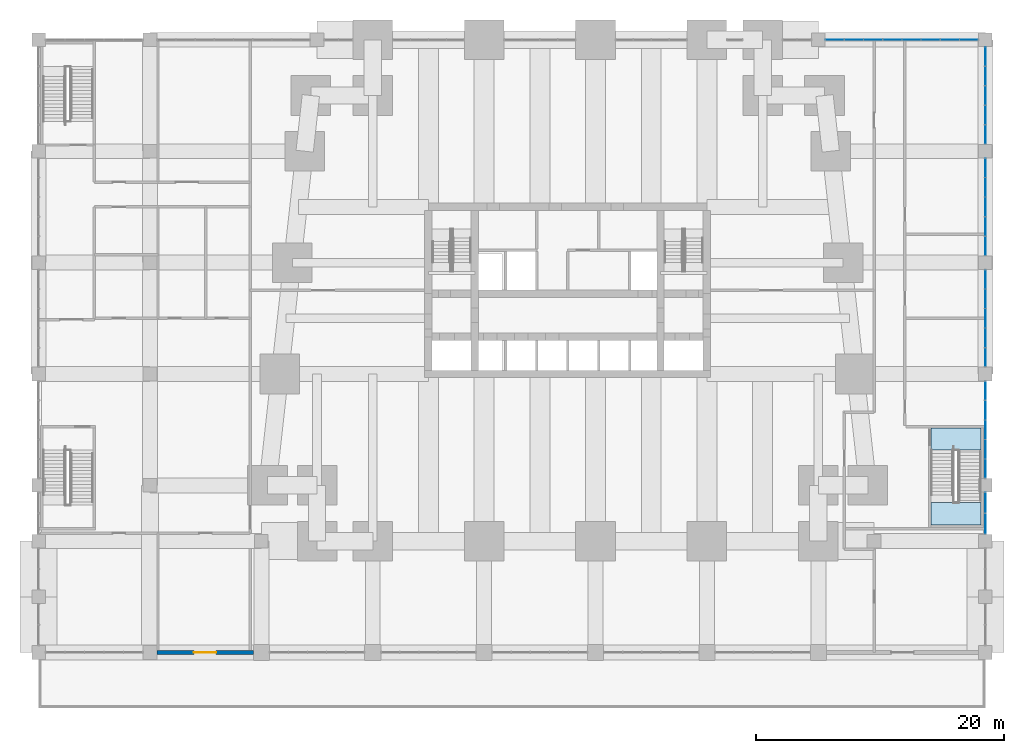
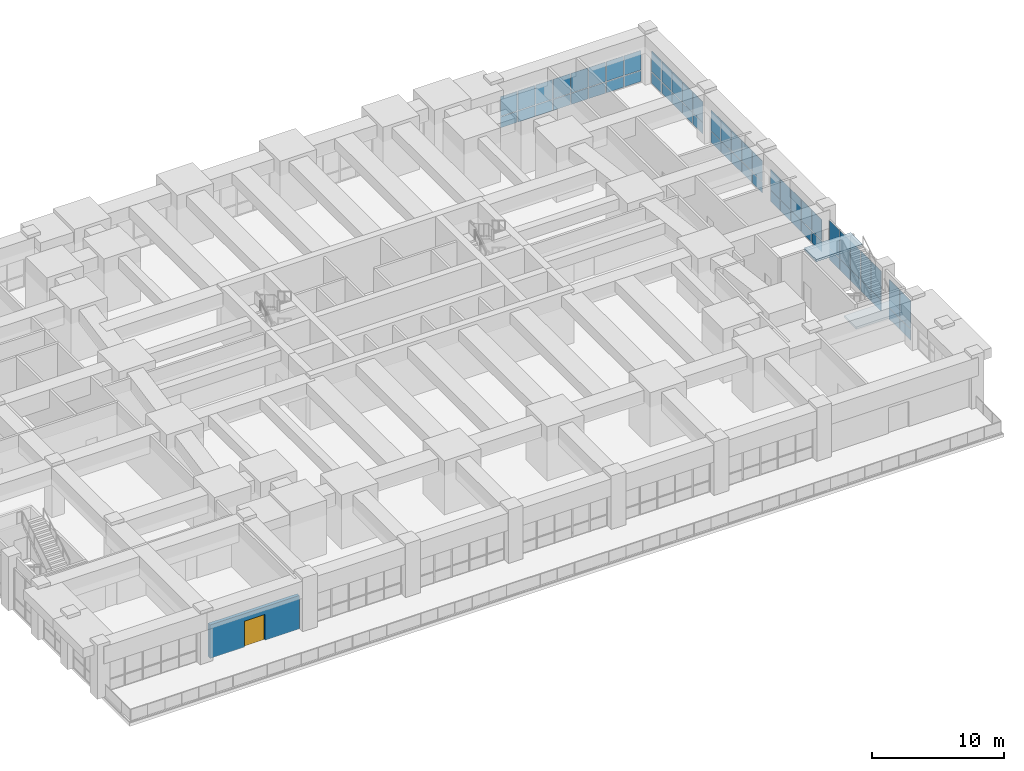
# One storey, part 20 of 27: 60 plates, 2 slabs, 1 door, 1 wall, 1 opening, 7 elements without a shape of their own.
"""IFC4 building model written with IfcOpenShell, lengths in metres."""

import ifcopenshell
import ifcopenshell.guid

model = None  # the IFC model being written
_history = None  # IfcOwnerHistory: only IFC2X3 demands one
_inside = {}  # id of a spatial element -> (the spatial element, [elements in it])
_under = {}  # id of a project, library or spatial element -> (it, [spatial elements below it])
_declared = {}  # id of a project -> (the project, [libraries it declares])
_typed = {}  # id of a type object -> (the type object, [elements of that type])
_made_of = {}  # id of a material, layer set ... -> (it, [elements and type objects made of it])


def new_model(schema):
    """Start an empty IFC model of exactly this schema.

    Asked for "IFC4X3", IfcOpenShell would pick the latest addendum, in which some entities
    have other attributes; the version numbers below select the first issue.
    IFC2X3 requires an IfcOwnerHistory on every rooted entity: one is made here for all.
    """
    global model, _history
    if schema == "IFC4X3":
        model = ifcopenshell.file(schema_version=(4, 3, 0, 0))
    else:
        model = ifcopenshell.file(schema=schema)
    _inside.clear()
    _under.clear()
    _declared.clear()
    _typed.clear()
    _made_of.clear()
    _history = None
    if model.schema == "IFC2X3":
        org = make("IfcOrganization", Name="unknown")
        user = make(
            "IfcPersonAndOrganization",
            ThePerson=make("IfcPerson", FamilyName="unknown"),
            TheOrganization=org,
        )
        app = make(
            "IfcApplication",
            ApplicationDeveloper=org,
            Version="unknown",
            ApplicationFullName="unknown",
            ApplicationIdentifier="unknown",
        )
        _history = make(
            "IfcOwnerHistory",
            OwningUser=user,
            OwningApplication=app,
            ChangeAction="ADDED",
            CreationDate=0,
        )
    return model


def make(cls, **values):
    """One entity of the class cls with the attributes given. An attribute that is None is left unset."""
    return model.create_entity(
        cls, **{name: value for name, value in values.items() if value is not None}
    )


def rooted(cls, **values):
    """An entity with a GlobalId (a new one), such as an element, a storey or a relation."""
    return make(cls, GlobalId=ifcopenshell.guid.new(), OwnerHistory=_history, **values)


def si_unit(unit_type, name, prefix=None):
    """IfcSIUnit, for example si_unit("LENGTHUNIT", "METRE", prefix="MILLI")."""
    return make("IfcSIUnit", UnitType=unit_type, Prefix=prefix, Name=name)


def assignment(units):
    """IfcUnitAssignment: the units of a project."""
    return None if units is None else make("IfcUnitAssignment", Units=units)


def point(xyz):
    """IfcCartesianPoint."""
    return None if xyz is None else make("IfcCartesianPoint", Coordinates=xyz)


def direction(xyz):
    """IfcDirection."""
    return None if xyz is None else make("IfcDirection", DirectionRatios=xyz)


def frame(location, z_axis=None, x_axis=None):
    """IfcAxis2Placement3D, a coordinate frame: its origin and axes. An axis left out is left unset."""
    return make(
        "IfcAxis2Placement3D",
        Location=point(location),
        Axis=direction(z_axis),
        RefDirection=direction(x_axis),
    )


def frame_2d(location, x_axis=None):
    """IfcAxis2Placement2D, a coordinate frame in the plane: its origin and x axis."""
    return make(
        "IfcAxis2Placement2D", Location=point(location), RefDirection=direction(x_axis)
    )


def origin():
    """The frame at (0, 0, 0) with its axes left unset."""
    return frame((0.0, 0.0, 0.0))


def origin_2d():
    """The frame at (0, 0) in the plane with its x axis left unset."""
    return frame_2d((0.0, 0.0))


def place(relative_to, where):
    """IfcLocalPlacement: puts the frame where relative to a parent placement (None: the world)."""
    return make(
        "IfcLocalPlacement", PlacementRelTo=relative_to, RelativePlacement=where
    )


def context(
    kind, dimensions, precision=None, world=None, true_north=None, identifier=None
):
    """IfcGeometricRepresentationContext, for example the 3D "Model" context."""
    return make(
        "IfcGeometricRepresentationContext",
        ContextIdentifier=identifier,
        ContextType=kind,
        CoordinateSpaceDimension=dimensions,
        Precision=precision,
        WorldCoordinateSystem=world,
        TrueNorth=true_north,
    )


def subcontext(parent, identifier, kind, view, scale=None):
    """IfcGeometricRepresentationSubContext, for example "Body" below "Model"."""
    return make(
        "IfcGeometricRepresentationSubContext",
        ContextIdentifier=identifier,
        ContextType=kind,
        ParentContext=parent,
        TargetScale=scale,
        TargetView=view,
    )


def project(units=None, contexts=None):
    """IfcProject with its units and contexts."""
    return rooted(
        "IfcProject",
        Name="project",
        RepresentationContexts=contexts,
        UnitsInContext=assignment(units),
    )


def spatial(cls, under=None, at=None, **own):
    """A site, building, storey or space (cls), placed at a placement, below another one or the project."""
    s = rooted(cls, ObjectPlacement=at, **own)
    if under is not None:
        _under.setdefault(under.id(), (under, []))[1].append(s)
    return s


def polyline(points):
    """IfcPolyline through the points."""
    return make("IfcPolyline", Points=[point(p) for p in points])


def profile(cls, at=None, kind="AREA", **sizes):
    """A parametric profile (cls). Its sizes go by their IFC names, for example OverallWidth=200.0."""
    return make(cls, ProfileType=kind, Position=at, **sizes)


def rectangle(**sizes):
    """IfcRectangleProfileDef."""
    return profile("IfcRectangleProfileDef", **sizes)


def outline(outer, holes=None, kind="AREA"):
    """IfcArbitraryClosedProfileDef: a profile drawn as a closed curve; with holes, ...WithVoids."""
    if holes is None:
        return make("IfcArbitraryClosedProfileDef", ProfileType=kind, OuterCurve=outer)
    return make(
        "IfcArbitraryProfileDefWithVoids",
        ProfileType=kind,
        OuterCurve=outer,
        InnerCurves=holes,
    )


def extrude(swept, where, along, depth):
    """IfcExtrudedAreaSolid: the profile swept, set in the frame where, extruded along a direction by depth."""
    return make(
        "IfcExtrudedAreaSolid",
        SweptArea=swept,
        Position=where,
        ExtrudedDirection=direction(along),
        Depth=depth,
    )


def shape(context_of_items, identifier, shape_type, items):
    """IfcShapeRepresentation: the items that make up one representation, for example the "Body"."""
    return make(
        "IfcShapeRepresentation",
        ContextOfItems=context_of_items,
        RepresentationIdentifier=identifier,
        RepresentationType=shape_type,
        Items=items,
    )


def material(Name=None, Category=None):
    """IfcMaterial."""
    return make("IfcMaterial", Name=Name, Category=Category)


def layer(
    of_material, thickness, ventilated=None, Name=None, Category=None, Priority=None
):
    """IfcMaterialLayer: one layer of a wall or slab, of a material (None: an air gap)."""
    return make(
        "IfcMaterialLayer",
        Material=of_material,
        LayerThickness=thickness,
        IsVentilated=ventilated,
        Name=Name,
        Category=Category,
        Priority=Priority,
    )


def layer_set(layers, Name=None):
    """IfcMaterialLayerSet."""
    return make("IfcMaterialLayerSet", MaterialLayers=layers, LayerSetName=Name)


def made_of(thing, what):
    """Note that an element or type object is made of a material, layer set ...; save() writes the relation."""
    if what is not None:
        _made_of.setdefault(what.id(), (what, []))[1].append(thing)
    return thing


def type_object(cls, material=None, **own):
    """A type object (cls), such as IfcWallType, which elements share."""
    return made_of(rooted(cls, **own), material)


def element(
    cls,
    number,
    at=None,
    inside=None,
    cuts=None,
    type_object=None,
    material=None,
    context=None,
    identifier="Body",
    shape_type=None,
    held_by="IfcProductDefinitionShape",
    body=None,
    shapes=None,
    **own,
):
    """One element of the class cls, such as IfcWall. Its Tag is "e" and its number.

    at: its placement. inside: the storey or other place that contains it. cuts: it is an
    opening in that element (IfcRelVoidsElement). A single representation is given by context,
    identifier, shape_type and body (its items); several are given by shapes. held_by: the class
    of the entity that holds the representations. save() writes the other relations.
    """
    e = rooted(cls, Tag="e%d" % number, ObjectPlacement=at, **own)
    if body is not None:
        shapes = [shape(context, identifier, shape_type, body)]
    if shapes is not None:
        e.Representation = make(held_by, Representations=shapes)
    if inside is not None:
        _inside.setdefault(inside.id(), (inside, []))[1].append(e)
    if cuts is not None:
        rooted(
            "IfcRelVoidsElement", RelatingBuildingElement=cuts, RelatedOpeningElement=e
        )
    if type_object is not None:
        _typed.setdefault(type_object.id(), (type_object, []))[1].append(e)
    return made_of(e, material)


def fill(opening, filler):
    """IfcRelFillsElement: the door or window that sits in an opening."""
    return rooted(
        "IfcRelFillsElement",
        RelatingOpeningElement=opening,
        RelatedBuildingElement=filler,
    )


def aggregate(whole, parts):
    """IfcRelAggregates: a whole, such as a stair, and the parts it consists of."""
    return rooted("IfcRelAggregates", RelatingObject=whole, RelatedObjects=parts)


def save(model, path):
    """Write the relations noted so far, then the file.

    IfcRelAggregates (storeys below a building ...), IfcRelContainedInSpatialStructure (elements
    in a storey), IfcRelDefinesByType, IfcRelAssociatesMaterial and IfcRelDeclares: one each for
    every whole, place, type object, material and project.
    """
    for whole, parts in _under.values():
        aggregate(whole, parts)
    for where, things in _inside.values():
        rooted(
            "IfcRelContainedInSpatialStructure",
            RelatedElements=things,
            RelatingStructure=where,
        )
    for kind, things in _typed.values():
        rooted("IfcRelDefinesByType", RelatedObjects=things, RelatingType=kind)
    for what, things in _made_of.values():
        rooted("IfcRelAssociatesMaterial", RelatedObjects=things, RelatingMaterial=what)
    for by, libraries in _declared.values():
        rooted("IfcRelDeclares", RelatingContext=by, RelatedDefinitions=libraries)
    model.write(path)


model = new_model("IFC4")

# Units and contexts
model_context = context("Model", 3, precision=1e-05, world=origin(), true_north=direction((0.0, 1.0)))
body_context = subcontext(model_context, "Body", "Model", "MODEL_VIEW")
ifc_project = project(units=[si_unit("LENGTHUNIT", "METRE"), si_unit("AREAUNIT", "SQUARE_METRE"), si_unit("VOLUMEUNIT", "CUBIC_METRE"), si_unit("PLANEANGLEUNIT", "RADIAN"), si_unit("MASSUNIT", "GRAM", prefix="KILO")], contexts=[model_context])

# Site, building, storey
site_placement = place(None, origin())
site = spatial("IfcSite", under=ifc_project, at=site_placement, CompositionType="ELEMENT")
building_placement = place(site_placement, origin())
building = spatial("IfcBuilding", under=site, at=building_placement, Name="Kilele Tower Hotel", CompositionType="ELEMENT")
storey_placement = place(building_placement, frame((0.0, 0.0, 6.0)))
storey = spatial("IfcBuildingStorey", under=building, at=storey_placement, Name="L01", CompositionType="ELEMENT", Elevation=6.0)

# Curtain wall, plates
ifc_material_1 = material(Name="Aluminium curtain wall, clear double glazing", Category="aluminium")
curtain_wall_type_1 = type_object("IfcCurtainWallType", Name="Podium curtain wall CW-1", PredefinedType="NOTDEFINED", material=ifc_material_1)
curtain_wall_1_placement = place(storey_placement, origin())
curtain_wall_1 = element("IfcCurtainWall", 1, at=curtain_wall_1_placement, inside=storey, type_object=curtain_wall_type_1, Name="Podium curtain wall CW-1 L01", PredefinedType="NOTDEFINED")
ifc_material_2 = material(Name="Clear double glazing", Category="glass")
ifc_layer_1 = layer(ifc_material_2, 0.028076171875)
ifc_layer_set_1 = layer_set([ifc_layer_1], Name="Clear double glazing")
plate_type_1 = type_object("IfcPlateType", Name="Glazed panel 28 CW-1", PredefinedType="CURTAIN_PANEL", material=ifc_layer_set_1)
plate_1_placement = place(storey_placement, frame((57.159912109375, 40.5, 0.06005859375), z_axis=(0.0, 0.0, 1.0), x_axis=(-1.0, 0.0, 0.0)))
plate_1 = element("IfcPlate", 2, at=plate_1_placement, type_object=plate_type_1, Name="CW-1 panel 1.1", PredefinedType="CURTAIN_PANEL", context=body_context, shape_type="SweptSolid", body=[
    extrude(rectangle(XDim=1.4599609375, YDim=0.028076171875, at=origin_2d()), origin(), (0.0, 0.0, 1.0), 1.010009765625),
])
plate_2_placement = place(storey_placement, frame((57.159912109375, 40.5, 1.1298828125), z_axis=(0.0, 0.0, 1.0), x_axis=(-1.0, 0.0, 0.0)))
plate_2 = element("IfcPlate", 3, at=plate_2_placement, type_object=plate_type_1, Name="CW-1 panel 1.2", PredefinedType="CURTAIN_PANEL", context=body_context, shape_type="SweptSolid", body=[
    extrude(rectangle(XDim=1.4599609375, YDim=0.028076171875, at=origin_2d()), origin(), (0.0, 0.0, 1.0), 1.81005859375),
])
plate_3_placement = place(storey_placement, frame((55.625, 40.5, 0.06005859375), z_axis=(0.0, 0.0, 1.0), x_axis=(-1.0, 0.0, 0.0)))
plate_3 = element("IfcPlate", 4, at=plate_3_placement, type_object=plate_type_1, Name="CW-1 panel 2.1", PredefinedType="CURTAIN_PANEL", context=body_context, shape_type="SweptSolid", body=[
    extrude(rectangle(XDim=1.489990234375, YDim=0.028076171875, at=origin_2d()), origin(), (0.0, 0.0, 1.0), 1.010009765625),
])
plate_4_placement = place(storey_placement, frame((55.625, 40.5, 1.1298828125), z_axis=(0.0, 0.0, 1.0), x_axis=(-1.0, 0.0, 0.0)))
plate_4 = element("IfcPlate", 5, at=plate_4_placement, type_object=plate_type_1, Name="CW-1 panel 2.2", PredefinedType="CURTAIN_PANEL", context=body_context, shape_type="SweptSolid", body=[
    extrude(rectangle(XDim=1.489990234375, YDim=0.028076171875, at=origin_2d()), origin(), (0.0, 0.0, 1.0), 1.81005859375),
])
plate_5_placement = place(storey_placement, frame((54.074951171875, 40.5, 0.06005859375), z_axis=(0.0, 0.0, 1.0), x_axis=(-1.0, 0.0, 0.0)))
plate_5 = element("IfcPlate", 6, at=plate_5_placement, type_object=plate_type_1, Name="CW-1 panel 3.1", PredefinedType="CURTAIN_PANEL", context=body_context, shape_type="SweptSolid", body=[
    extrude(rectangle(XDim=1.489990234375, YDim=0.028076171875, at=origin_2d()), origin(), (0.0, 0.0, 1.0), 1.010009765625),
])
plate_6_placement = place(storey_placement, frame((54.074951171875, 40.5, 1.1298828125), z_axis=(0.0, 0.0, 1.0), x_axis=(-1.0, 0.0, 0.0)))
plate_6 = element("IfcPlate", 7, at=plate_6_placement, type_object=plate_type_1, Name="CW-1 panel 3.2", PredefinedType="CURTAIN_PANEL", context=body_context, shape_type="SweptSolid", body=[
    extrude(rectangle(XDim=1.489990234375, YDim=0.028076171875, at=origin_2d()), origin(), (0.0, 0.0, 1.0), 1.81005859375),
])
plate_7_placement = place(storey_placement, frame((52.52490234375, 40.5, 0.06005859375), z_axis=(0.0, 0.0, 1.0), x_axis=(-1.0, 0.0, 0.0)))
plate_7 = element("IfcPlate", 8, at=plate_7_placement, type_object=plate_type_1, Name="CW-1 panel 4.1", PredefinedType="CURTAIN_PANEL", context=body_context, shape_type="SweptSolid", body=[
    extrude(rectangle(XDim=1.489990234375, YDim=0.028076171875, at=origin_2d()), origin(), (0.0, 0.0, 1.0), 1.010009765625),
])
plate_8_placement = place(storey_placement, frame((52.52490234375, 40.5, 1.1298828125), z_axis=(0.0, 0.0, 1.0), x_axis=(-1.0, 0.0, 0.0)))
plate_8 = element("IfcPlate", 9, at=plate_8_placement, type_object=plate_type_1, Name="CW-1 panel 4.2", PredefinedType="CURTAIN_PANEL", context=body_context, shape_type="SweptSolid", body=[
    extrude(rectangle(XDim=1.489990234375, YDim=0.028076171875, at=origin_2d()), origin(), (0.0, 0.0, 1.0), 1.81005859375),
])
plate_9_placement = place(storey_placement, frame((50.97509765625, 40.5, 0.06005859375), z_axis=(0.0, 0.0, 1.0), x_axis=(-1.0, 0.0, 0.0)))
plate_9 = element("IfcPlate", 10, at=plate_9_placement, type_object=plate_type_1, Name="CW-1 panel 5.1", PredefinedType="CURTAIN_PANEL", context=body_context, shape_type="SweptSolid", body=[
    extrude(rectangle(XDim=1.489990234375, YDim=0.028076171875, at=origin_2d()), origin(), (0.0, 0.0, 1.0), 1.010009765625),
])
plate_10_placement = place(storey_placement, frame((50.97509765625, 40.5, 1.1298828125), z_axis=(0.0, 0.0, 1.0), x_axis=(-1.0, 0.0, 0.0)))
plate_10 = element("IfcPlate", 11, at=plate_10_placement, type_object=plate_type_1, Name="CW-1 panel 5.2", PredefinedType="CURTAIN_PANEL", context=body_context, shape_type="SweptSolid", body=[
    extrude(rectangle(XDim=1.489990234375, YDim=0.028076171875, at=origin_2d()), origin(), (0.0, 0.0, 1.0), 1.81005859375),
])
plate_11_placement = place(storey_placement, frame((49.425048828125, 40.5, 0.06005859375), z_axis=(0.0, 0.0, 1.0), x_axis=(-1.0, 0.0, 0.0)))
plate_11 = element("IfcPlate", 12, at=plate_11_placement, type_object=plate_type_1, Name="CW-1 panel 6.1", PredefinedType="CURTAIN_PANEL", context=body_context, shape_type="SweptSolid", body=[
    extrude(rectangle(XDim=1.489990234375, YDim=0.028076171875, at=origin_2d()), origin(), (0.0, 0.0, 1.0), 1.010009765625),
])
plate_12_placement = place(storey_placement, frame((49.425048828125, 40.5, 1.1298828125), z_axis=(0.0, 0.0, 1.0), x_axis=(-1.0, 0.0, 0.0)))
plate_12 = element("IfcPlate", 13, at=plate_12_placement, type_object=plate_type_1, Name="CW-1 panel 6.2", PredefinedType="CURTAIN_PANEL", context=body_context, shape_type="SweptSolid", body=[
    extrude(rectangle(XDim=1.489990234375, YDim=0.028076171875, at=origin_2d()), origin(), (0.0, 0.0, 1.0), 1.81005859375),
])
plate_13_placement = place(storey_placement, frame((47.875, 40.5, 0.06005859375), z_axis=(0.0, 0.0, 1.0), x_axis=(-1.0, 0.0, 0.0)))
plate_13 = element("IfcPlate", 14, at=plate_13_placement, type_object=plate_type_1, Name="CW-1 panel 7.1", PredefinedType="CURTAIN_PANEL", context=body_context, shape_type="SweptSolid", body=[
    extrude(rectangle(XDim=1.489990234375, YDim=0.028076171875, at=origin_2d()), origin(), (0.0, 0.0, 1.0), 1.010009765625),
])
plate_14_placement = place(storey_placement, frame((47.875, 40.5, 1.1298828125), z_axis=(0.0, 0.0, 1.0), x_axis=(-1.0, 0.0, 0.0)))
plate_14 = element("IfcPlate", 15, at=plate_14_placement, type_object=plate_type_1, Name="CW-1 panel 7.2", PredefinedType="CURTAIN_PANEL", context=body_context, shape_type="SweptSolid", body=[
    extrude(rectangle(XDim=1.489990234375, YDim=0.028076171875, at=origin_2d()), origin(), (0.0, 0.0, 1.0), 1.81005859375),
])
plate_15_placement = place(storey_placement, frame((46.340087890625, 40.5, 0.06005859375), z_axis=(0.0, 0.0, 1.0), x_axis=(-1.0, 0.0, 0.0)))
plate_15 = element("IfcPlate", 16, at=plate_15_placement, type_object=plate_type_1, Name="CW-1 panel 8.1", PredefinedType="CURTAIN_PANEL", context=body_context, shape_type="SweptSolid", body=[
    extrude(rectangle(XDim=1.4599609375, YDim=0.028076171875, at=origin_2d()), origin(), (0.0, 0.0, 1.0), 1.010009765625),
])
plate_16_placement = place(storey_placement, frame((46.340087890625, 40.5, 1.1298828125), z_axis=(0.0, 0.0, 1.0), x_axis=(-1.0, 0.0, 0.0)))
plate_16 = element("IfcPlate", 17, at=plate_16_placement, type_object=plate_type_1, Name="CW-1 panel 8.2", PredefinedType="CURTAIN_PANEL", context=body_context, shape_type="SweptSolid", body=[
    extrude(rectangle(XDim=1.4599609375, YDim=0.028076171875, at=origin_2d()), origin(), (0.0, 0.0, 1.0), 1.81005859375),
])
aggregate(curtain_wall_1, [plate_1, plate_2, plate_3, plate_4, plate_5, plate_6, plate_7, plate_8, plate_9, plate_10, plate_11, plate_12, plate_13, plate_14, plate_15, plate_16])

ifc_material_3 = material(Name="Aluminium curtain wall, clear double glazing", Category="aluminium")
curtain_wall_type_2 = type_object("IfcCurtainWallType", Name="Podium side curtain wall CW-2", PredefinedType="NOTDEFINED", material=ifc_material_3)
curtain_wall_2_placement = place(storey_placement, origin())
curtain_wall_2 = element("IfcCurtainWall", 18, at=curtain_wall_2_placement, inside=storey, type_object=curtain_wall_type_2, Name="Podium side curtain wall CW-2 L01", PredefinedType="NOTDEFINED")
ifc_material_4 = material(Name="Clear double glazing", Category="glass")
ifc_layer_2 = layer(ifc_material_4, 0.028076171875)
ifc_layer_set_2 = layer_set([ifc_layer_2], Name="Clear double glazing")
plate_type_2 = type_object("IfcPlateType", Name="Glazed panel 28 CW-2", PredefinedType="CURTAIN_PANEL", material=ifc_layer_set_2)
plate_17_placement = place(storey_placement, frame((58.5, 1.4150390625, 0.06005859375), z_axis=(0.0, 0.0, 1.0), x_axis=(0.0, 1.0, 0.0)))
plate_17 = element("IfcPlate", 19, at=plate_17_placement, type_object=plate_type_2, Name="CW-2 panel 1.1", PredefinedType="CURTAIN_PANEL", context=body_context, shape_type="SweptSolid", body=[
    extrude(rectangle(XDim=1.610107421875, YDim=0.028076171875, at=origin_2d()), origin(), (0.0, 0.0, 1.0), 1.010009765625),
])
plate_18_placement = place(storey_placement, frame((58.5, 1.4150390625, 1.1298828125), z_axis=(0.0, 0.0, 1.0), x_axis=(0.0, 1.0, 0.0)))
plate_18 = element("IfcPlate", 20, at=plate_18_placement, type_object=plate_type_2, Name="CW-2 panel 1.2", PredefinedType="CURTAIN_PANEL", context=body_context, shape_type="SweptSolid", body=[
    extrude(rectangle(XDim=1.610107421875, YDim=0.028076171875, at=origin_2d()), origin(), (0.0, 0.0, 1.0), 2.610107421875),
])
plate_19_placement = place(storey_placement, frame((58.5, 3.0849609375, 0.06005859375), z_axis=(0.0, 0.0, 1.0), x_axis=(0.0, 1.0, 0.0)))
plate_19 = element("IfcPlate", 21, at=plate_19_placement, type_object=plate_type_2, Name="CW-2 panel 2.1", PredefinedType="CURTAIN_PANEL", context=body_context, shape_type="SweptSolid", body=[
    extrude(rectangle(XDim=1.610107421875, YDim=0.028076171875, at=origin_2d()), origin(), (0.0, 0.0, 1.0), 1.010009765625),
])
plate_20_placement = place(storey_placement, frame((58.5, 3.0849609375, 1.1298828125), z_axis=(0.0, 0.0, 1.0), x_axis=(0.0, 1.0, 0.0)))
plate_20 = element("IfcPlate", 22, at=plate_20_placement, type_object=plate_type_2, Name="CW-2 panel 2.2", PredefinedType="CURTAIN_PANEL", context=body_context, shape_type="SweptSolid", body=[
    extrude(rectangle(XDim=1.610107421875, YDim=0.028076171875, at=origin_2d()), origin(), (0.0, 0.0, 1.0), 2.610107421875),
])
aggregate(curtain_wall_2, [plate_17, plate_18, plate_19, plate_20])

curtain_wall_3_placement = place(storey_placement, origin())
curtain_wall_3 = element("IfcCurtainWall", 23, at=curtain_wall_3_placement, inside=storey, type_object=curtain_wall_type_2, Name="Podium side curtain wall CW-2 L01", PredefinedType="NOTDEFINED")
plate_21_placement = place(storey_placement, frame((58.5, 5.85498046875, 0.06005859375), z_axis=(0.0, 0.0, 1.0), x_axis=(0.0, 1.0, 0.0)))
plate_21 = element("IfcPlate", 24, at=plate_21_placement, type_object=plate_type_2, Name="CW-2 panel 1.1", PredefinedType="CURTAIN_PANEL", context=body_context, shape_type="SweptSolid", body=[
    extrude(rectangle(XDim=1.489990234375, YDim=0.028076171875, at=origin_2d()), origin(), (0.0, 0.0, 1.0), 1.010009765625),
])
plate_22_placement = place(storey_placement, frame((58.5, 5.85498046875, 1.1298828125), z_axis=(0.0, 0.0, 1.0), x_axis=(0.0, 1.0, 0.0)))
plate_22 = element("IfcPlate", 25, at=plate_22_placement, type_object=plate_type_2, Name="CW-2 panel 1.2", PredefinedType="CURTAIN_PANEL", context=body_context, shape_type="SweptSolid", body=[
    extrude(rectangle(XDim=1.489990234375, YDim=0.028076171875, at=origin_2d()), origin(), (0.0, 0.0, 1.0), 2.610107421875),
])
plate_23_placement = place(storey_placement, frame((58.5, 7.419921875, 0.06005859375), z_axis=(0.0, 0.0, 1.0), x_axis=(0.0, 1.0, 0.0)))
plate_23 = element("IfcPlate", 26, at=plate_23_placement, type_object=plate_type_2, Name="CW-2 panel 2.1", PredefinedType="CURTAIN_PANEL", context=body_context, shape_type="SweptSolid", body=[
    extrude(rectangle(XDim=1.52001953125, YDim=0.028076171875, at=origin_2d()), origin(), (0.0, 0.0, 1.0), 1.010009765625),
])
plate_24_placement = place(storey_placement, frame((58.5, 7.419921875, 1.1298828125), z_axis=(0.0, 0.0, 1.0), x_axis=(0.0, 1.0, 0.0)))
plate_24 = element("IfcPlate", 27, at=plate_24_placement, type_object=plate_type_2, Name="CW-2 panel 2.2", PredefinedType="CURTAIN_PANEL", context=body_context, shape_type="SweptSolid", body=[
    extrude(rectangle(XDim=1.52001953125, YDim=0.028076171875, at=origin_2d()), origin(), (0.0, 0.0, 1.0), 2.610107421875),
])
plate_25_placement = place(storey_placement, frame((58.5, 9.0, 0.06005859375), z_axis=(0.0, 0.0, 1.0), x_axis=(0.0, 1.0, 0.0)))
plate_25 = element("IfcPlate", 28, at=plate_25_placement, type_object=plate_type_2, Name="CW-2 panel 3.1", PredefinedType="CURTAIN_PANEL", context=body_context, shape_type="SweptSolid", body=[
    extrude(rectangle(XDim=1.52001953125, YDim=0.028076171875, at=origin_2d()), origin(), (0.0, 0.0, 1.0), 1.010009765625),
])
plate_26_placement = place(storey_placement, frame((58.5, 9.0, 1.1298828125), z_axis=(0.0, 0.0, 1.0), x_axis=(0.0, 1.0, 0.0)))
plate_26 = element("IfcPlate", 29, at=plate_26_placement, type_object=plate_type_2, Name="CW-2 panel 3.2", PredefinedType="CURTAIN_PANEL", context=body_context, shape_type="SweptSolid", body=[
    extrude(rectangle(XDim=1.52001953125, YDim=0.028076171875, at=origin_2d()), origin(), (0.0, 0.0, 1.0), 2.610107421875),
])
plate_27_placement = place(storey_placement, frame((58.5, 10.580078125, 0.06005859375), z_axis=(0.0, 0.0, 1.0), x_axis=(0.0, 1.0, 0.0)))
plate_27 = element("IfcPlate", 30, at=plate_27_placement, type_object=plate_type_2, Name="CW-2 panel 4.1", PredefinedType="CURTAIN_PANEL", context=body_context, shape_type="SweptSolid", body=[
    extrude(rectangle(XDim=1.52001953125, YDim=0.028076171875, at=origin_2d()), origin(), (0.0, 0.0, 1.0), 1.010009765625),
])
plate_28_placement = place(storey_placement, frame((58.5, 10.580078125, 1.1298828125), z_axis=(0.0, 0.0, 1.0), x_axis=(0.0, 1.0, 0.0)))
plate_28 = element("IfcPlate", 31, at=plate_28_placement, type_object=plate_type_2, Name="CW-2 panel 4.2", PredefinedType="CURTAIN_PANEL", context=body_context, shape_type="SweptSolid", body=[
    extrude(rectangle(XDim=1.52001953125, YDim=0.028076171875, at=origin_2d()), origin(), (0.0, 0.0, 1.0), 2.610107421875),
])
plate_29_placement = place(storey_placement, frame((58.5, 12.14501953125, 0.06005859375), z_axis=(0.0, 0.0, 1.0), x_axis=(0.0, 1.0, 0.0)))
plate_29 = element("IfcPlate", 32, at=plate_29_placement, type_object=plate_type_2, Name="CW-2 panel 5.1", PredefinedType="CURTAIN_PANEL", context=body_context, shape_type="SweptSolid", body=[
    extrude(rectangle(XDim=1.489990234375, YDim=0.028076171875, at=origin_2d()), origin(), (0.0, 0.0, 1.0), 1.010009765625),
])
plate_30_placement = place(storey_placement, frame((58.5, 12.14501953125, 1.1298828125), z_axis=(0.0, 0.0, 1.0), x_axis=(0.0, 1.0, 0.0)))
plate_30 = element("IfcPlate", 33, at=plate_30_placement, type_object=plate_type_2, Name="CW-2 panel 5.2", PredefinedType="CURTAIN_PANEL", context=body_context, shape_type="SweptSolid", body=[
    extrude(rectangle(XDim=1.489990234375, YDim=0.028076171875, at=origin_2d()), origin(), (0.0, 0.0, 1.0), 2.610107421875),
])
aggregate(curtain_wall_3, [plate_21, plate_22, plate_23, plate_24, plate_25, plate_26, plate_27, plate_28, plate_29, plate_30])

curtain_wall_4_placement = place(storey_placement, origin())
curtain_wall_4 = element("IfcCurtainWall", 34, at=curtain_wall_4_placement, inside=storey, type_object=curtain_wall_type_2, Name="Podium side curtain wall CW-2 L01", PredefinedType="NOTDEFINED")
plate_31_placement = place(storey_placement, frame((58.5, 14.85498046875, 0.06005859375), z_axis=(0.0, 0.0, 1.0), x_axis=(0.0, 1.0, 0.0)))
plate_31 = element("IfcPlate", 35, at=plate_31_placement, type_object=plate_type_2, Name="CW-2 panel 1.1", PredefinedType="CURTAIN_PANEL", context=body_context, shape_type="SweptSolid", body=[
    extrude(rectangle(XDim=1.489990234375, YDim=0.028076171875, at=origin_2d()), origin(), (0.0, 0.0, 1.0), 1.010009765625),
])
plate_32_placement = place(storey_placement, frame((58.5, 14.85498046875, 1.1298828125), z_axis=(0.0, 0.0, 1.0), x_axis=(0.0, 1.0, 0.0)))
plate_32 = element("IfcPlate", 36, at=plate_32_placement, type_object=plate_type_2, Name="CW-2 panel 1.2", PredefinedType="CURTAIN_PANEL", context=body_context, shape_type="SweptSolid", body=[
    extrude(rectangle(XDim=1.489990234375, YDim=0.028076171875, at=origin_2d()), origin(), (0.0, 0.0, 1.0), 1.909912109375),
])
plate_33_placement = place(storey_placement, frame((58.5, 16.419921875, 0.06005859375), z_axis=(0.0, 0.0, 1.0), x_axis=(0.0, 1.0, 0.0)))
plate_33 = element("IfcPlate", 37, at=plate_33_placement, type_object=plate_type_2, Name="CW-2 panel 2.1", PredefinedType="CURTAIN_PANEL", context=body_context, shape_type="SweptSolid", body=[
    extrude(rectangle(XDim=1.52001953125, YDim=0.028076171875, at=origin_2d()), origin(), (0.0, 0.0, 1.0), 1.010009765625),
])
plate_34_placement = place(storey_placement, frame((58.5, 16.419921875, 1.1298828125), z_axis=(0.0, 0.0, 1.0), x_axis=(0.0, 1.0, 0.0)))
plate_34 = element("IfcPlate", 38, at=plate_34_placement, type_object=plate_type_2, Name="CW-2 panel 2.2", PredefinedType="CURTAIN_PANEL", context=body_context, shape_type="SweptSolid", body=[
    extrude(rectangle(XDim=1.52001953125, YDim=0.028076171875, at=origin_2d()), origin(), (0.0, 0.0, 1.0), 1.909912109375),
])
plate_35_placement = place(storey_placement, frame((58.5, 18.0, 0.06005859375), z_axis=(0.0, 0.0, 1.0), x_axis=(0.0, 1.0, 0.0)))
plate_35 = element("IfcPlate", 39, at=plate_35_placement, type_object=plate_type_2, Name="CW-2 panel 3.1", PredefinedType="CURTAIN_PANEL", context=body_context, shape_type="SweptSolid", body=[
    extrude(rectangle(XDim=1.52001953125, YDim=0.028076171875, at=origin_2d()), origin(), (0.0, 0.0, 1.0), 1.010009765625),
])
plate_36_placement = place(storey_placement, frame((58.5, 18.0, 1.1298828125), z_axis=(0.0, 0.0, 1.0), x_axis=(0.0, 1.0, 0.0)))
plate_36 = element("IfcPlate", 40, at=plate_36_placement, type_object=plate_type_2, Name="CW-2 panel 3.2", PredefinedType="CURTAIN_PANEL", context=body_context, shape_type="SweptSolid", body=[
    extrude(rectangle(XDim=1.52001953125, YDim=0.028076171875, at=origin_2d()), origin(), (0.0, 0.0, 1.0), 1.909912109375),
])
plate_37_placement = place(storey_placement, frame((58.5, 19.580078125, 0.06005859375), z_axis=(0.0, 0.0, 1.0), x_axis=(0.0, 1.0, 0.0)))
plate_37 = element("IfcPlate", 41, at=plate_37_placement, type_object=plate_type_2, Name="CW-2 panel 4.1", PredefinedType="CURTAIN_PANEL", context=body_context, shape_type="SweptSolid", body=[
    extrude(rectangle(XDim=1.52001953125, YDim=0.028076171875, at=origin_2d()), origin(), (0.0, 0.0, 1.0), 1.010009765625),
])
plate_38_placement = place(storey_placement, frame((58.5, 19.580078125, 1.1298828125), z_axis=(0.0, 0.0, 1.0), x_axis=(0.0, 1.0, 0.0)))
plate_38 = element("IfcPlate", 42, at=plate_38_placement, type_object=plate_type_2, Name="CW-2 panel 4.2", PredefinedType="CURTAIN_PANEL", context=body_context, shape_type="SweptSolid", body=[
    extrude(rectangle(XDim=1.52001953125, YDim=0.028076171875, at=origin_2d()), origin(), (0.0, 0.0, 1.0), 1.909912109375),
])
plate_39_placement = place(storey_placement, frame((58.5, 21.14501953125, 0.06005859375), z_axis=(0.0, 0.0, 1.0), x_axis=(0.0, 1.0, 0.0)))
plate_39 = element("IfcPlate", 43, at=plate_39_placement, type_object=plate_type_2, Name="CW-2 panel 5.1", PredefinedType="CURTAIN_PANEL", context=body_context, shape_type="SweptSolid", body=[
    extrude(rectangle(XDim=1.489990234375, YDim=0.028076171875, at=origin_2d()), origin(), (0.0, 0.0, 1.0), 1.010009765625),
])
plate_40_placement = place(storey_placement, frame((58.5, 21.14501953125, 1.1298828125), z_axis=(0.0, 0.0, 1.0), x_axis=(0.0, 1.0, 0.0)))
plate_40 = element("IfcPlate", 44, at=plate_40_placement, type_object=plate_type_2, Name="CW-2 panel 5.2", PredefinedType="CURTAIN_PANEL", context=body_context, shape_type="SweptSolid", body=[
    extrude(rectangle(XDim=1.489990234375, YDim=0.028076171875, at=origin_2d()), origin(), (0.0, 0.0, 1.0), 1.909912109375),
])
aggregate(curtain_wall_4, [plate_31, plate_32, plate_33, plate_34, plate_35, plate_36, plate_37, plate_38, plate_39, plate_40])

curtain_wall_5_placement = place(storey_placement, origin())
curtain_wall_5 = element("IfcCurtainWall", 45, at=curtain_wall_5_placement, inside=storey, type_object=curtain_wall_type_2, Name="Podium side curtain wall CW-2 L01", PredefinedType="NOTDEFINED")
plate_41_placement = place(storey_placement, frame((58.5, 23.85498046875, 0.06005859375), z_axis=(0.0, 0.0, 1.0), x_axis=(0.0, 1.0, 0.0)))
plate_41 = element("IfcPlate", 46, at=plate_41_placement, type_object=plate_type_2, Name="CW-2 panel 1.1", PredefinedType="CURTAIN_PANEL", context=body_context, shape_type="SweptSolid", body=[
    extrude(rectangle(XDim=1.489990234375, YDim=0.028076171875, at=origin_2d()), origin(), (0.0, 0.0, 1.0), 1.010009765625),
])
plate_42_placement = place(storey_placement, frame((58.5, 23.85498046875, 1.1298828125), z_axis=(0.0, 0.0, 1.0), x_axis=(0.0, 1.0, 0.0)))
plate_42 = element("IfcPlate", 47, at=plate_42_placement, type_object=plate_type_2, Name="CW-2 panel 1.2", PredefinedType="CURTAIN_PANEL", context=body_context, shape_type="SweptSolid", body=[
    extrude(rectangle(XDim=1.489990234375, YDim=0.028076171875, at=origin_2d()), origin(), (0.0, 0.0, 1.0), 1.909912109375),
])
plate_43_placement = place(storey_placement, frame((58.5, 25.419921875, 0.06005859375), z_axis=(0.0, 0.0, 1.0), x_axis=(0.0, 1.0, 0.0)))
plate_43 = element("IfcPlate", 48, at=plate_43_placement, type_object=plate_type_2, Name="CW-2 panel 2.1", PredefinedType="CURTAIN_PANEL", context=body_context, shape_type="SweptSolid", body=[
    extrude(rectangle(XDim=1.52001953125, YDim=0.028076171875, at=origin_2d()), origin(), (0.0, 0.0, 1.0), 1.010009765625),
])
plate_44_placement = place(storey_placement, frame((58.5, 25.419921875, 1.1298828125), z_axis=(0.0, 0.0, 1.0), x_axis=(0.0, 1.0, 0.0)))
plate_44 = element("IfcPlate", 49, at=plate_44_placement, type_object=plate_type_2, Name="CW-2 panel 2.2", PredefinedType="CURTAIN_PANEL", context=body_context, shape_type="SweptSolid", body=[
    extrude(rectangle(XDim=1.52001953125, YDim=0.028076171875, at=origin_2d()), origin(), (0.0, 0.0, 1.0), 1.909912109375),
])
plate_45_placement = place(storey_placement, frame((58.5, 27.0, 0.06005859375), z_axis=(0.0, 0.0, 1.0), x_axis=(0.0, 1.0, 0.0)))
plate_45 = element("IfcPlate", 50, at=plate_45_placement, type_object=plate_type_2, Name="CW-2 panel 3.1", PredefinedType="CURTAIN_PANEL", context=body_context, shape_type="SweptSolid", body=[
    extrude(rectangle(XDim=1.52001953125, YDim=0.028076171875, at=origin_2d()), origin(), (0.0, 0.0, 1.0), 1.010009765625),
])
plate_46_placement = place(storey_placement, frame((58.5, 27.0, 1.1298828125), z_axis=(0.0, 0.0, 1.0), x_axis=(0.0, 1.0, 0.0)))
plate_46 = element("IfcPlate", 51, at=plate_46_placement, type_object=plate_type_2, Name="CW-2 panel 3.2", PredefinedType="CURTAIN_PANEL", context=body_context, shape_type="SweptSolid", body=[
    extrude(rectangle(XDim=1.52001953125, YDim=0.028076171875, at=origin_2d()), origin(), (0.0, 0.0, 1.0), 1.909912109375),
])
plate_47_placement = place(storey_placement, frame((58.5, 28.580078125, 0.06005859375), z_axis=(0.0, 0.0, 1.0), x_axis=(0.0, 1.0, 0.0)))
plate_47 = element("IfcPlate", 52, at=plate_47_placement, type_object=plate_type_2, Name="CW-2 panel 4.1", PredefinedType="CURTAIN_PANEL", context=body_context, shape_type="SweptSolid", body=[
    extrude(rectangle(XDim=1.52001953125, YDim=0.028076171875, at=origin_2d()), origin(), (0.0, 0.0, 1.0), 1.010009765625),
])
plate_48_placement = place(storey_placement, frame((58.5, 28.580078125, 1.1298828125), z_axis=(0.0, 0.0, 1.0), x_axis=(0.0, 1.0, 0.0)))
plate_48 = element("IfcPlate", 53, at=plate_48_placement, type_object=plate_type_2, Name="CW-2 panel 4.2", PredefinedType="CURTAIN_PANEL", context=body_context, shape_type="SweptSolid", body=[
    extrude(rectangle(XDim=1.52001953125, YDim=0.028076171875, at=origin_2d()), origin(), (0.0, 0.0, 1.0), 1.909912109375),
])
plate_49_placement = place(storey_placement, frame((58.5, 30.14501953125, 0.06005859375), z_axis=(0.0, 0.0, 1.0), x_axis=(0.0, 1.0, 0.0)))
plate_49 = element("IfcPlate", 54, at=plate_49_placement, type_object=plate_type_2, Name="CW-2 panel 5.1", PredefinedType="CURTAIN_PANEL", context=body_context, shape_type="SweptSolid", body=[
    extrude(rectangle(XDim=1.489990234375, YDim=0.028076171875, at=origin_2d()), origin(), (0.0, 0.0, 1.0), 1.010009765625),
])
plate_50_placement = place(storey_placement, frame((58.5, 30.14501953125, 1.1298828125), z_axis=(0.0, 0.0, 1.0), x_axis=(0.0, 1.0, 0.0)))
plate_50 = element("IfcPlate", 55, at=plate_50_placement, type_object=plate_type_2, Name="CW-2 panel 5.2", PredefinedType="CURTAIN_PANEL", context=body_context, shape_type="SweptSolid", body=[
    extrude(rectangle(XDim=1.489990234375, YDim=0.028076171875, at=origin_2d()), origin(), (0.0, 0.0, 1.0), 1.909912109375),
])
aggregate(curtain_wall_5, [plate_41, plate_42, plate_43, plate_44, plate_45, plate_46, plate_47, plate_48, plate_49, plate_50])

curtain_wall_6_placement = place(storey_placement, origin())
curtain_wall_6 = element("IfcCurtainWall", 56, at=curtain_wall_6_placement, inside=storey, type_object=curtain_wall_type_2, Name="Podium side curtain wall CW-2 L01", PredefinedType="NOTDEFINED")
plate_51_placement = place(storey_placement, frame((58.5, 32.85498046875, 0.06005859375), z_axis=(0.0, 0.0, 1.0), x_axis=(0.0, 1.0, 0.0)))
plate_51 = element("IfcPlate", 57, at=plate_51_placement, type_object=plate_type_2, Name="CW-2 panel 1.1", PredefinedType="CURTAIN_PANEL", context=body_context, shape_type="SweptSolid", body=[
    extrude(rectangle(XDim=1.489990234375, YDim=0.028076171875, at=origin_2d()), origin(), (0.0, 0.0, 1.0), 1.010009765625),
])
plate_52_placement = place(storey_placement, frame((58.5, 32.85498046875, 1.1298828125), z_axis=(0.0, 0.0, 1.0), x_axis=(0.0, 1.0, 0.0)))
plate_52 = element("IfcPlate", 58, at=plate_52_placement, type_object=plate_type_2, Name="CW-2 panel 1.2", PredefinedType="CURTAIN_PANEL", context=body_context, shape_type="SweptSolid", body=[
    extrude(rectangle(XDim=1.489990234375, YDim=0.028076171875, at=origin_2d()), origin(), (0.0, 0.0, 1.0), 1.909912109375),
])
plate_53_placement = place(storey_placement, frame((58.5, 34.419921875, 0.06005859375), z_axis=(0.0, 0.0, 1.0), x_axis=(0.0, 1.0, 0.0)))
plate_53 = element("IfcPlate", 59, at=plate_53_placement, type_object=plate_type_2, Name="CW-2 panel 2.1", PredefinedType="CURTAIN_PANEL", context=body_context, shape_type="SweptSolid", body=[
    extrude(rectangle(XDim=1.52001953125, YDim=0.028076171875, at=origin_2d()), origin(), (0.0, 0.0, 1.0), 1.010009765625),
])
plate_54_placement = place(storey_placement, frame((58.5, 34.419921875, 1.1298828125), z_axis=(0.0, 0.0, 1.0), x_axis=(0.0, 1.0, 0.0)))
plate_54 = element("IfcPlate", 60, at=plate_54_placement, type_object=plate_type_2, Name="CW-2 panel 2.2", PredefinedType="CURTAIN_PANEL", context=body_context, shape_type="SweptSolid", body=[
    extrude(rectangle(XDim=1.52001953125, YDim=0.028076171875, at=origin_2d()), origin(), (0.0, 0.0, 1.0), 1.909912109375),
])
plate_55_placement = place(storey_placement, frame((58.5, 36.0, 0.06005859375), z_axis=(0.0, 0.0, 1.0), x_axis=(0.0, 1.0, 0.0)))
plate_55 = element("IfcPlate", 61, at=plate_55_placement, type_object=plate_type_2, Name="CW-2 panel 3.1", PredefinedType="CURTAIN_PANEL", context=body_context, shape_type="SweptSolid", body=[
    extrude(rectangle(XDim=1.52001953125, YDim=0.028076171875, at=origin_2d()), origin(), (0.0, 0.0, 1.0), 1.010009765625),
])
plate_56_placement = place(storey_placement, frame((58.5, 36.0, 1.1298828125), z_axis=(0.0, 0.0, 1.0), x_axis=(0.0, 1.0, 0.0)))
plate_56 = element("IfcPlate", 62, at=plate_56_placement, type_object=plate_type_2, Name="CW-2 panel 3.2", PredefinedType="CURTAIN_PANEL", context=body_context, shape_type="SweptSolid", body=[
    extrude(rectangle(XDim=1.52001953125, YDim=0.028076171875, at=origin_2d()), origin(), (0.0, 0.0, 1.0), 1.909912109375),
])
plate_57_placement = place(storey_placement, frame((58.5, 37.580078125, 0.06005859375), z_axis=(0.0, 0.0, 1.0), x_axis=(0.0, 1.0, 0.0)))
plate_57 = element("IfcPlate", 63, at=plate_57_placement, type_object=plate_type_2, Name="CW-2 panel 4.1", PredefinedType="CURTAIN_PANEL", context=body_context, shape_type="SweptSolid", body=[
    extrude(rectangle(XDim=1.52001953125, YDim=0.028076171875, at=origin_2d()), origin(), (0.0, 0.0, 1.0), 1.010009765625),
])
plate_58_placement = place(storey_placement, frame((58.5, 37.580078125, 1.1298828125), z_axis=(0.0, 0.0, 1.0), x_axis=(0.0, 1.0, 0.0)))
plate_58 = element("IfcPlate", 64, at=plate_58_placement, type_object=plate_type_2, Name="CW-2 panel 4.2", PredefinedType="CURTAIN_PANEL", context=body_context, shape_type="SweptSolid", body=[
    extrude(rectangle(XDim=1.52001953125, YDim=0.028076171875, at=origin_2d()), origin(), (0.0, 0.0, 1.0), 1.909912109375),
])
plate_59_placement = place(storey_placement, frame((58.5, 39.14501953125, 0.06005859375), z_axis=(0.0, 0.0, 1.0), x_axis=(0.0, 1.0, 0.0)))
plate_59 = element("IfcPlate", 65, at=plate_59_placement, type_object=plate_type_2, Name="CW-2 panel 5.1", PredefinedType="CURTAIN_PANEL", context=body_context, shape_type="SweptSolid", body=[
    extrude(rectangle(XDim=1.489990234375, YDim=0.028076171875, at=origin_2d()), origin(), (0.0, 0.0, 1.0), 1.010009765625),
])
plate_60_placement = place(storey_placement, frame((58.5, 39.14501953125, 1.1298828125), z_axis=(0.0, 0.0, 1.0), x_axis=(0.0, 1.0, 0.0)))
plate_60 = element("IfcPlate", 66, at=plate_60_placement, type_object=plate_type_2, Name="CW-2 panel 5.2", PredefinedType="CURTAIN_PANEL", context=body_context, shape_type="SweptSolid", body=[
    extrude(rectangle(XDim=1.489990234375, YDim=0.028076171875, at=origin_2d()), origin(), (0.0, 0.0, 1.0), 1.909912109375),
])
aggregate(curtain_wall_6, [plate_51, plate_52, plate_53, plate_54, plate_55, plate_56, plate_57, plate_58, plate_59, plate_60])

# Stair, slabs
ifc_material_5 = material(Name="Precast concrete C40/50", Category="concrete")
stair_type = type_object("IfcStairType", Name="Stair 1800 x 5000", PredefinedType="HALF_TURN_STAIR", material=ifc_material_5)
stair_placement = place(storey_placement, origin())
stair = element("IfcStair", 67, at=stair_placement, inside=storey, type_object=stair_type, Name="Stair 5 L01", PredefinedType="HALF_TURN_STAIR")
ifc_material_6 = material(Name="Precast concrete C40/50", Category="concrete")
ifc_layer_3 = layer(ifc_material_6, 0.199951171875)
ifc_layer_set_3 = layer_set([ifc_layer_3], Name="Precast concrete C40/50")
slab_type = type_object("IfcSlabType", Name="Stair landing 200", PredefinedType="LANDING", material=ifc_layer_set_3)
slab_1_placement = place(storey_placement, frame((0.0, 0.0, 2.2138671875)))
slab_1 = element("IfcSlab", 68, at=slab_1_placement, type_object=slab_type, Name="ST5 landing 1", PredefinedType="LANDING", context=body_context, shape_type="SweptSolid", body=[
    extrude(outline(polyline([(54.10009765625, 1.300048828125), (58.14990234375, 1.300048828125), (58.14990234375, 3.10009765625), (54.10009765625, 3.10009765625), (54.10009765625, 1.300048828125)])), origin(), (0.0, 0.0, 1.0), 0.199951171875),
])
slab_2_placement = place(storey_placement, frame((0.0, 0.0, 4.800048828125)))
slab_2 = element("IfcSlab", 69, at=slab_2_placement, type_object=slab_type, Name="ST5 landing 2", PredefinedType="LANDING", context=body_context, shape_type="SweptSolid", body=[
    extrude(outline(polyline([(54.10009765625, 7.35009765625), (58.14990234375, 7.35009765625), (58.14990234375, 9.14990234375), (54.10009765625, 9.14990234375), (54.10009765625, 7.35009765625)])), origin(), (0.0, 0.0, 1.0), 0.199951171875),
])
aggregate(stair, [slab_1, slab_2])

# Wall, opening, door
ifc_material_7 = material(Name="Concrete C40/50 precast", Category="concrete")
ifc_layer_4 = layer(ifc_material_7, 0.260009765625, Name="Precast backing", Category="LoadBearing")
ifc_material_8 = material(Name="Reconstituted stone finish", Category="masonry")
ifc_layer_5 = layer(ifc_material_8, 0.0400390625, Name="Face mix", Category="Finish")
ifc_layer_set_4 = layer_set([ifc_layer_4, ifc_layer_5], Name="Precast concrete C40/50, reconstituted stone finish")
wall_type = type_object("IfcWallType", Name="Precast stone facade wall 300", PredefinedType="STANDARD", material=ifc_layer_set_4)
wall_placement = place(storey_placement, frame((-8.449951171875, -9.0, 0.0), z_axis=(0.0, 0.0, 1.0), x_axis=(1.0, 0.0, 0.0)))
wall = element("IfcWall", 70, at=wall_placement, inside=storey, type_object=wall_type, Name="Podium terrace wall L01", PredefinedType="STANDARD", context=body_context, shape_type="SweptSolid", body=[
    extrude(rectangle(XDim=7.800048828125, YDim=0.300048828125, at=frame_2d((3.89990234375, 0.0))), origin(), (0.0, 0.0, 1.0), 3.10009765625),
])
opening_placement = place(wall_placement, frame((3.0, 0.0, 0.0)))
opening = element("IfcOpeningElement", 71, at=opening_placement, cuts=wall, Name="Opening TD2", PredefinedType="OPENING", context=body_context, shape_type="SweptSolid", body=[
    extrude(rectangle(XDim=1.800048828125, YDim=2.39990234375, at=frame_2d((0.89990234375, 1.199951171875))), frame((0.0, 0.159912109375, 0.0), z_axis=(0.0, -1.0, 0.0), x_axis=(1.0, 0.0, 0.0)), (0.0, 0.0, 1.0), 0.320068359375),
])
ifc_material_9 = material(Name="Aluminium frame, clear glazing", Category="aluminium")
door_type = type_object("IfcDoorType", Name="Terrace door 1800", OperationType="DOUBLE_DOOR_SINGLE_SWING", PredefinedType="DOOR", material=ifc_material_9)
door_placement = place(opening_placement, origin())
door = element("IfcDoor", 72, at=door_placement, inside=storey, type_object=door_type, Name="Terrace door", OperationType="DOUBLE_DOOR_SINGLE_SWING", OverallHeight=2.39990234375, OverallWidth=1.800048828125, PredefinedType="DOOR", context=body_context, shape_type="SweptSolid", body=[
    extrude(rectangle(XDim=1.800048828125, YDim=2.39990234375, at=frame_2d((0.89990234375, 1.199951171875))), frame((0.0, 0.02490234375, 0.0), z_axis=(0.0, -1.0, 0.0), x_axis=(1.0, 0.0, 0.0)), (0.0, 0.0, 1.0), 0.050048828125),
])
fill(opening, door)

save(model, "model.ifc")
